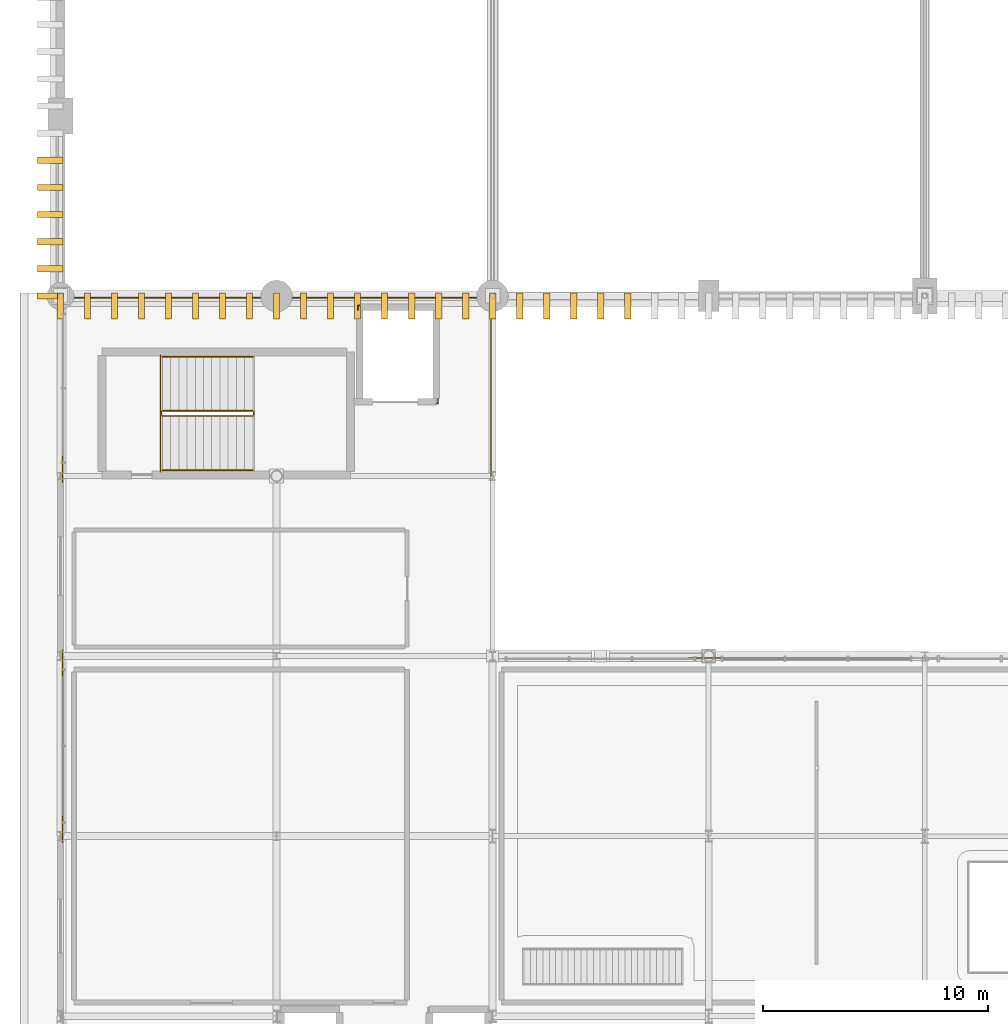
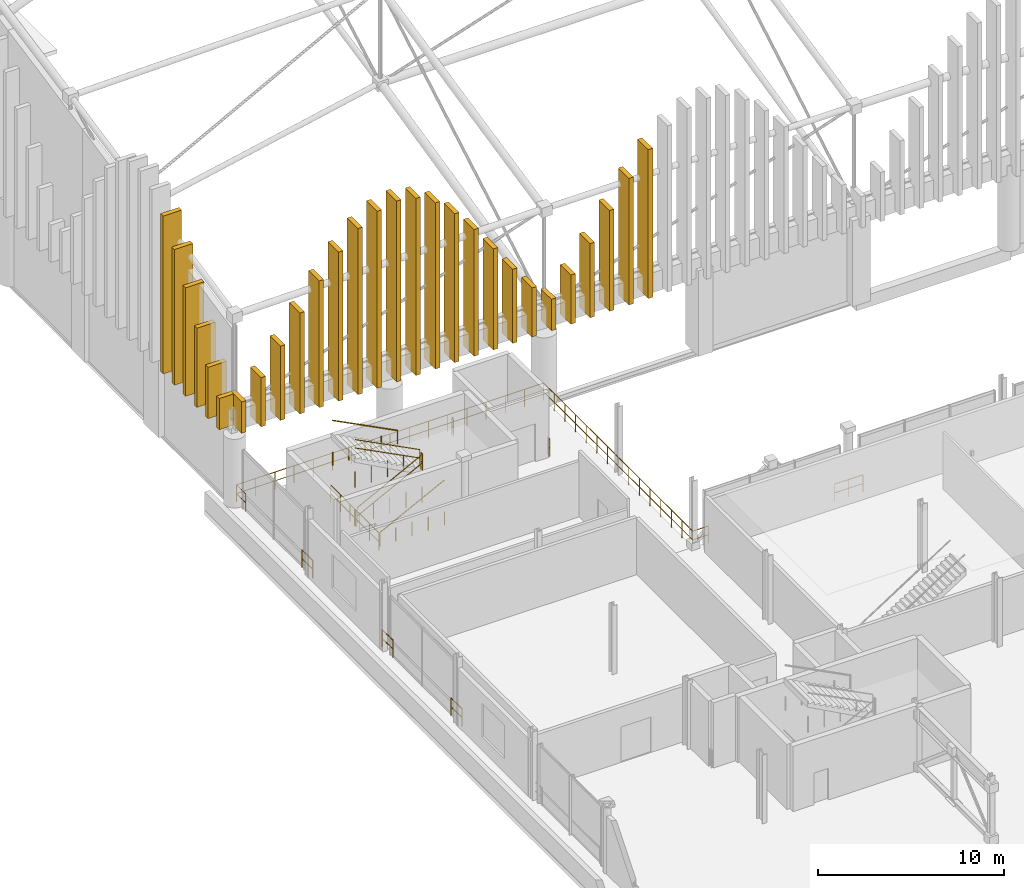
# One storey, part 176 of 193: 28 coverings, 14 railings.
"""IFC4 building model written with IfcOpenShell, lengths in metres."""

from ifc_helpers import new_model, si_unit, direction, frame, origin, origin_2d, place, context, subcontext, project, spatial, rectangle, circle, extrude, material, layer, layer_set, type_object, element, save


model = new_model("IFC4")

# Units and contexts
model_context = context("Model", 3, precision=1e-05, world=origin(), true_north=direction((0.0, 1.0)))
body_context = subcontext(model_context, "Body", "Model", "MODEL_VIEW")
ifc_project = project(units=[si_unit("LENGTHUNIT", "METRE"), si_unit("AREAUNIT", "SQUARE_METRE"), si_unit("VOLUMEUNIT", "CUBIC_METRE"), si_unit("PLANEANGLEUNIT", "RADIAN"), si_unit("MASSUNIT", "GRAM", prefix="KILO")], contexts=[model_context])

# Site, building, storey
site_placement = place(None, origin())
site = spatial("IfcSite", under=ifc_project, at=site_placement, CompositionType="ELEMENT")
building_placement = place(site_placement, origin())
building = spatial("IfcBuilding", under=site, at=building_placement, Name="Danafjord Basin Convention Centre", CompositionType="ELEMENT")
storey_placement = place(building_placement, frame((0.0, 0.0, 11.39990234375)))
storey = spatial("IfcBuildingStorey", under=building, at=storey_placement, Name="L02", CompositionType="ELEMENT", Elevation=11.39990234375)

# Coverings
ifc_material_1 = material(Name="Architectural white precast concrete C45/55", Category="concrete")
ifc_layer = layer(ifc_material_1, 0.280029296875)
ifc_layer_set = layer_set([ifc_layer], Name="Architectural white precast concrete C45/55")
covering_type = type_object("IfcCoveringType", Name="COV-FIN-RIDGE", PredefinedType="CLADDING", material=ifc_layer_set)
covering_1_placement = place(storey_placement, frame((0.0, 55.550048828125, 5.14990234375), z_axis=(0.0, 0.0, 1.0), x_axis=(0.0, 1.0, 0.0)))
element("IfcCovering", 1, at=covering_1_placement, inside=storey, type_object=covering_type, Name="V1 S white vertical mountain-ridge fin 1", PredefinedType="CLADDING", context=body_context, shape_type="SweptSolid", body=[
    extrude(rectangle(XDim=1.139892578125, YDim=0.280029296875, at=origin_2d()), origin(), (0.0, 0.0, 1.0), 2.050048828125),
])
covering_2_placement = place(storey_placement, frame((1.199951171875, 55.550048828125, 5.14990234375), z_axis=(0.0, 0.0, 1.0), x_axis=(0.0, 1.0, 0.0)))
element("IfcCovering", 2, at=covering_2_placement, inside=storey, type_object=covering_type, Name="V1 S white vertical mountain-ridge fin 2", PredefinedType="CLADDING", context=body_context, shape_type="SweptSolid", body=[
    extrude(rectangle(XDim=1.139892578125, YDim=0.280029296875, at=origin_2d()), origin(), (0.0, 0.0, 1.0), 3.220947265625),
])
covering_3_placement = place(storey_placement, frame((2.39990234375, 55.550048828125, 5.150146484375), z_axis=(0.0, 0.0, 1.0), x_axis=(0.0, 1.0, 0.0)))
element("IfcCovering", 3, at=covering_3_placement, inside=storey, type_object=covering_type, Name="V1 S white vertical mountain-ridge fin 3", PredefinedType="CLADDING", context=body_context, shape_type="SweptSolid", body=[
    extrude(rectangle(XDim=1.139892578125, YDim=0.280029296875, at=origin_2d()), origin(), (0.0, 0.0, 1.0), 4.861328125),
])
covering_4_placement = place(storey_placement, frame((3.60009765625, 55.550048828125, 5.14990234375), z_axis=(0.0, 0.0, 1.0), x_axis=(0.0, 1.0, 0.0)))
element("IfcCovering", 4, at=covering_4_placement, inside=storey, type_object=covering_type, Name="V1 S white vertical mountain-ridge fin 4", PredefinedType="CLADDING", context=body_context, shape_type="SweptSolid", body=[
    extrude(rectangle(XDim=1.139892578125, YDim=0.280029296875, at=origin_2d()), origin(), (0.0, 0.0, 1.0), 6.614501953125),
])
covering_5_placement = place(storey_placement, frame((4.800048828125, 55.550048828125, 5.150146484375), z_axis=(0.0, 0.0, 1.0), x_axis=(0.0, 1.0, 0.0)))
element("IfcCovering", 5, at=covering_5_placement, inside=storey, type_object=covering_type, Name="V1 S white vertical mountain-ridge fin 5", PredefinedType="CLADDING", context=body_context, shape_type="SweptSolid", body=[
    extrude(rectangle(XDim=1.139892578125, YDim=0.280029296875, at=origin_2d()), origin(), (0.0, 0.0, 1.0), 8.29541015625),
])
covering_6_placement = place(storey_placement, frame((6.0, 55.550048828125, 5.14990234375), z_axis=(0.0, 0.0, 1.0), x_axis=(0.0, 1.0, 0.0)))
element("IfcCovering", 6, at=covering_6_placement, inside=storey, type_object=covering_type, Name="V1 S white vertical mountain-ridge fin 6", PredefinedType="CLADDING", context=body_context, shape_type="SweptSolid", body=[
    extrude(rectangle(XDim=1.139892578125, YDim=0.280029296875, at=origin_2d()), origin(), (0.0, 0.0, 1.0), 9.759521484375),
])
covering_7_placement = place(storey_placement, frame((7.199951171875, 55.550048828125, 5.150146484375), z_axis=(0.0, 0.0, 1.0), x_axis=(0.0, 1.0, 0.0)))
element("IfcCovering", 7, at=covering_7_placement, inside=storey, type_object=covering_type, Name="V1 S white vertical mountain-ridge fin 7", PredefinedType="CLADDING", context=body_context, shape_type="SweptSolid", body=[
    extrude(rectangle(XDim=1.139892578125, YDim=0.280029296875, at=origin_2d()), origin(), (0.0, 0.0, 1.0), 10.8916015625),
])
covering_8_placement = place(storey_placement, frame((8.39990234375, 55.550048828125, 5.14990234375), z_axis=(0.0, 0.0, 1.0), x_axis=(0.0, 1.0, 0.0)))
element("IfcCovering", 8, at=covering_8_placement, inside=storey, type_object=covering_type, Name="V1 S white vertical mountain-ridge fin 8", PredefinedType="CLADDING", context=body_context, shape_type="SweptSolid", body=[
    extrude(rectangle(XDim=1.139892578125, YDim=0.280029296875, at=origin_2d()), origin(), (0.0, 0.0, 1.0), 11.60595703125),
])
covering_9_placement = place(storey_placement, frame((9.60009765625, 55.550048828125, 5.150146484375), z_axis=(0.0, 0.0, 1.0), x_axis=(0.0, 1.0, 0.0)))
element("IfcCovering", 9, at=covering_9_placement, inside=storey, type_object=covering_type, Name="V1 S white vertical mountain-ridge fin 9", PredefinedType="CLADDING", context=body_context, shape_type="SweptSolid", body=[
    extrude(rectangle(XDim=1.139892578125, YDim=0.280029296875, at=origin_2d()), origin(), (0.0, 0.0, 1.0), 11.85009765625),
])
covering_10_placement = place(storey_placement, frame((10.800048828125, 55.550048828125, 5.14990234375), z_axis=(0.0, 0.0, 1.0), x_axis=(0.0, 1.0, 0.0)))
element("IfcCovering", 10, at=covering_10_placement, inside=storey, type_object=covering_type, Name="V1 S white vertical mountain-ridge fin 10", PredefinedType="CLADDING", context=body_context, shape_type="SweptSolid", body=[
    extrude(rectangle(XDim=1.139892578125, YDim=0.280029296875, at=origin_2d()), origin(), (0.0, 0.0, 1.0), 11.60595703125),
])
covering_11_placement = place(storey_placement, frame((12.0, 55.550048828125, 5.150146484375), z_axis=(0.0, 0.0, 1.0), x_axis=(0.0, 1.0, 0.0)))
element("IfcCovering", 11, at=covering_11_placement, inside=storey, type_object=covering_type, Name="V1 S white vertical mountain-ridge fin 11", PredefinedType="CLADDING", context=body_context, shape_type="SweptSolid", body=[
    extrude(rectangle(XDim=1.139892578125, YDim=0.280029296875, at=origin_2d()), origin(), (0.0, 0.0, 1.0), 10.8916015625),
])
covering_12_placement = place(storey_placement, frame((13.199951171875, 55.550048828125, 5.14990234375), z_axis=(0.0, 0.0, 1.0), x_axis=(0.0, 1.0, 0.0)))
element("IfcCovering", 12, at=covering_12_placement, inside=storey, type_object=covering_type, Name="V1 S white vertical mountain-ridge fin 12", PredefinedType="CLADDING", context=body_context, shape_type="SweptSolid", body=[
    extrude(rectangle(XDim=1.139892578125, YDim=0.280029296875, at=origin_2d()), origin(), (0.0, 0.0, 1.0), 9.759521484375),
])
covering_13_placement = place(storey_placement, frame((14.39990234375, 55.550048828125, 5.150146484375), z_axis=(0.0, 0.0, 1.0), x_axis=(0.0, 1.0, 0.0)))
element("IfcCovering", 13, at=covering_13_placement, inside=storey, type_object=covering_type, Name="V1 S white vertical mountain-ridge fin 13", PredefinedType="CLADDING", context=body_context, shape_type="SweptSolid", body=[
    extrude(rectangle(XDim=1.139892578125, YDim=0.280029296875, at=origin_2d()), origin(), (0.0, 0.0, 1.0), 8.29541015625),
])
covering_14_placement = place(storey_placement, frame((15.60009765625, 55.550048828125, 5.14990234375), z_axis=(0.0, 0.0, 1.0), x_axis=(0.0, 1.0, 0.0)))
element("IfcCovering", 14, at=covering_14_placement, inside=storey, type_object=covering_type, Name="V1 S white vertical mountain-ridge fin 14", PredefinedType="CLADDING", context=body_context, shape_type="SweptSolid", body=[
    extrude(rectangle(XDim=1.139892578125, YDim=0.280029296875, at=origin_2d()), origin(), (0.0, 0.0, 1.0), 6.614501953125),
])
covering_15_placement = place(storey_placement, frame((16.800048828125, 55.550048828125, 5.150146484375), z_axis=(0.0, 0.0, 1.0), x_axis=(0.0, 1.0, 0.0)))
element("IfcCovering", 15, at=covering_15_placement, inside=storey, type_object=covering_type, Name="V1 S white vertical mountain-ridge fin 15", PredefinedType="CLADDING", context=body_context, shape_type="SweptSolid", body=[
    extrude(rectangle(XDim=1.139892578125, YDim=0.280029296875, at=origin_2d()), origin(), (0.0, 0.0, 1.0), 4.861328125),
])
covering_16_placement = place(storey_placement, frame((18.0, 55.550048828125, 5.14990234375), z_axis=(0.0, 0.0, 1.0), x_axis=(0.0, 1.0, 0.0)))
element("IfcCovering", 16, at=covering_16_placement, inside=storey, type_object=covering_type, Name="V1 S white vertical mountain-ridge fin 16", PredefinedType="CLADDING", context=body_context, shape_type="SweptSolid", body=[
    extrude(rectangle(XDim=1.139892578125, YDim=0.280029296875, at=origin_2d()), origin(), (0.0, 0.0, 1.0), 3.220947265625),
])
covering_17_placement = place(storey_placement, frame((19.199951171875, 55.550048828125, 5.14990234375), z_axis=(0.0, 0.0, 1.0), x_axis=(0.0, 1.0, 0.0)))
element("IfcCovering", 17, at=covering_17_placement, inside=storey, type_object=covering_type, Name="V1 S white vertical mountain-ridge fin 17", PredefinedType="CLADDING", context=body_context, shape_type="SweptSolid", body=[
    extrude(rectangle(XDim=1.139892578125, YDim=0.280029296875, at=origin_2d()), origin(), (0.0, 0.0, 1.0), 2.050048828125),
])
covering_18_placement = place(storey_placement, frame((20.39990234375, 55.550048828125, 5.14990234375), z_axis=(0.0, 0.0, 1.0), x_axis=(0.0, 1.0, 0.0)))
element("IfcCovering", 18, at=covering_18_placement, inside=storey, type_object=covering_type, Name="V1 S white vertical mountain-ridge fin 18", PredefinedType="CLADDING", context=body_context, shape_type="SweptSolid", body=[
    extrude(rectangle(XDim=1.139892578125, YDim=0.280029296875, at=origin_2d()), origin(), (0.0, 0.0, 1.0), 3.220947265625),
])
covering_19_placement = place(storey_placement, frame((21.60009765625, 55.550048828125, 5.150146484375), z_axis=(0.0, 0.0, 1.0), x_axis=(0.0, 1.0, 0.0)))
element("IfcCovering", 19, at=covering_19_placement, inside=storey, type_object=covering_type, Name="V1 S white vertical mountain-ridge fin 19", PredefinedType="CLADDING", context=body_context, shape_type="SweptSolid", body=[
    extrude(rectangle(XDim=1.139892578125, YDim=0.280029296875, at=origin_2d()), origin(), (0.0, 0.0, 1.0), 4.861328125),
])
covering_20_placement = place(storey_placement, frame((22.800048828125, 55.550048828125, 5.14990234375), z_axis=(0.0, 0.0, 1.0), x_axis=(0.0, 1.0, 0.0)))
element("IfcCovering", 20, at=covering_20_placement, inside=storey, type_object=covering_type, Name="V1 S white vertical mountain-ridge fin 20", PredefinedType="CLADDING", context=body_context, shape_type="SweptSolid", body=[
    extrude(rectangle(XDim=1.139892578125, YDim=0.280029296875, at=origin_2d()), origin(), (0.0, 0.0, 1.0), 6.614501953125),
])
covering_21_placement = place(storey_placement, frame((24.0, 55.550048828125, 5.150146484375), z_axis=(0.0, 0.0, 1.0), x_axis=(0.0, 1.0, 0.0)))
element("IfcCovering", 21, at=covering_21_placement, inside=storey, type_object=covering_type, Name="V1 S white vertical mountain-ridge fin 21", PredefinedType="CLADDING", context=body_context, shape_type="SweptSolid", body=[
    extrude(rectangle(XDim=1.139892578125, YDim=0.280029296875, at=origin_2d()), origin(), (0.0, 0.0, 1.0), 8.29541015625),
])
covering_22_placement = place(storey_placement, frame((25.199951171875, 55.550048828125, 5.14990234375), z_axis=(0.0, 0.0, 1.0), x_axis=(0.0, 1.0, 0.0)))
element("IfcCovering", 22, at=covering_22_placement, inside=storey, type_object=covering_type, Name="V1 S white vertical mountain-ridge fin 22", PredefinedType="CLADDING", context=body_context, shape_type="SweptSolid", body=[
    extrude(rectangle(XDim=1.139892578125, YDim=0.280029296875, at=origin_2d()), origin(), (0.0, 0.0, 1.0), 9.759521484375),
])
covering_23_placement = place(storey_placement, frame((-0.449951171875, 56.0, 5.14990234375), z_axis=(0.0, 0.0, 1.0), x_axis=(1.0, 0.0, 0.0)))
element("IfcCovering", 23, at=covering_23_placement, inside=storey, type_object=covering_type, Name="V1 W white vertical mountain-ridge fin 195", PredefinedType="CLADDING", context=body_context, shape_type="SweptSolid", body=[
    extrude(rectangle(XDim=1.139892578125, YDim=0.280029296875, at=origin_2d()), origin(), (0.0, 0.0, 1.0), 2.050048828125),
])
covering_24_placement = place(storey_placement, frame((-0.449951171875, 57.20556640625, 5.150146484375), z_axis=(0.0, 0.0, 1.0), x_axis=(1.0, 0.0, 0.0)))
element("IfcCovering", 24, at=covering_24_placement, inside=storey, type_object=covering_type, Name="V1 W white vertical mountain-ridge fin 196", PredefinedType="CLADDING", context=body_context, shape_type="SweptSolid", body=[
    extrude(rectangle(XDim=1.139892578125, YDim=0.280029296875, at=origin_2d()), origin(), (0.0, 0.0, 1.0), 3.36669921875),
])
covering_25_placement = place(storey_placement, frame((-0.449951171875, 58.410888671875, 5.150146484375), z_axis=(0.0, 0.0, 1.0), x_axis=(1.0, 0.0, 0.0)))
element("IfcCovering", 25, at=covering_25_placement, inside=storey, type_object=covering_type, Name="V1 W white vertical mountain-ridge fin 197", PredefinedType="CLADDING", context=body_context, shape_type="SweptSolid", body=[
    extrude(rectangle(XDim=1.139892578125, YDim=0.280029296875, at=origin_2d()), origin(), (0.0, 0.0, 1.0), 5.1953125),
])
covering_26_placement = place(storey_placement, frame((-0.449951171875, 59.616455078125, 5.150146484375), z_axis=(0.0, 0.0, 1.0), x_axis=(1.0, 0.0, 0.0)))
element("IfcCovering", 26, at=covering_26_placement, inside=storey, type_object=covering_type, Name="V1 W white vertical mountain-ridge fin 198", PredefinedType="CLADDING", context=body_context, shape_type="SweptSolid", body=[
    extrude(rectangle(XDim=1.139892578125, YDim=0.280029296875, at=origin_2d()), origin(), (0.0, 0.0, 1.0), 7.1123046875),
])
covering_27_placement = place(storey_placement, frame((-0.449951171875, 60.822021484375, 5.14990234375), z_axis=(0.0, 0.0, 1.0), x_axis=(1.0, 0.0, 0.0)))
element("IfcCovering", 27, at=covering_27_placement, inside=storey, type_object=covering_type, Name="V1 W white vertical mountain-ridge fin 199", PredefinedType="CLADDING", context=body_context, shape_type="SweptSolid", body=[
    extrude(rectangle(XDim=1.139892578125, YDim=0.280029296875, at=origin_2d()), origin(), (0.0, 0.0, 1.0), 8.889404296875),
])
covering_28_placement = place(storey_placement, frame((-0.449951171875, 62.02734375, 5.150146484375), z_axis=(0.0, 0.0, 1.0), x_axis=(1.0, 0.0, 0.0)))
element("IfcCovering", 28, at=covering_28_placement, inside=storey, type_object=covering_type, Name="V1 W white vertical mountain-ridge fin 200", PredefinedType="CLADDING", context=body_context, shape_type="SweptSolid", body=[
    extrude(rectangle(XDim=1.139892578125, YDim=0.280029296875, at=origin_2d()), origin(), (0.0, 0.0, 1.0), 10.349609375),
])

# Railings
ifc_material_2 = material(Name="Laminated structural glass and stainless steel", Category="steel")
railing_type_1 = type_object("IfcRailingType", Name="RL-BAL-GLS", PredefinedType="BALUSTRADE", material=ifc_material_2)
for number, where, name in (
    (29, (0.080078125, 31.719970703125, 0.0), "L02 safety guard balustrade 188"),
    (30, (0.080078125, 39.1201171875, 0.0), "L02 safety guard balustrade 189"),
    (31, (0.080078125, 47.719970703125, 0.0), "L02 safety guard balustrade 190"),
):
    element("IfcRailing", number, at=place(storey_placement, frame(where)), inside=storey, type_object=railing_type_1, Name=name, PredefinedType="BALUSTRADE", context=body_context, shape_type="SweptSolid", body=[
        extrude(circle(Radius=0.02392578125, at=origin_2d()), frame((0.0, 0.0, 1.1259765625), z_axis=(0.0, 1.0, 0.0), x_axis=(-1.0, 0.0, 0.0)), (0.0, 0.0, 1.0), 1.159912109375),
        extrude(circle(Radius=0.02392578125, at=origin_2d()), frame((0.0, 0.0, 0.55078125), z_axis=(0.0, 1.0, 0.0), x_axis=(-1.0, 0.0, 0.0)), (0.0, 0.0, 1.0), 1.159912109375),
        extrude(circle(Radius=0.02099609375, at=origin_2d()), origin(), (0.0, 0.0, 1.0), 1.099853515625),
        extrude(circle(Radius=0.02099609375, at=origin_2d()), frame((0.0, 1.159912109375, 0.0)), (0.0, 0.0, 1.0), 1.099853515625),
    ])
railing_1_placement = place(storey_placement, frame((0.080078125, 54.919921875, 0.0)))
element("IfcRailing", 32, at=railing_1_placement, inside=storey, type_object=railing_type_1, Name="L02 safety guard balustrade 191", PredefinedType="BALUSTRADE", context=body_context, shape_type="SweptSolid", body=[
    extrude(circle(Radius=0.02392578125, at=origin_2d()), frame((0.0, 0.0, 1.1259765625), z_axis=(0.0, 1.0, 0.0), x_axis=(-1.0, 0.0, 0.0)), (0.0, 0.0, 1.0), 1.0),
    extrude(circle(Radius=0.02392578125, at=origin_2d()), frame((0.0, 0.0, 0.55078125), z_axis=(0.0, 1.0, 0.0), x_axis=(-1.0, 0.0, 0.0)), (0.0, 0.0, 1.0), 1.0),
    extrude(circle(Radius=0.02392578125, at=origin_2d()), frame((0.0, 1.0, 1.1259765625), z_axis=(1.0, 0.0, 0.0), x_axis=(0.0, 1.0, 0.0)), (0.0, 0.0, 1.0), 19.0400390625),
    extrude(circle(Radius=0.02392578125, at=origin_2d()), frame((0.0, 1.0, 0.55078125), z_axis=(1.0, 0.0, 0.0), x_axis=(0.0, 1.0, 0.0)), (0.0, 0.0, 1.0), 19.0400390625),
    extrude(circle(Radius=0.02392578125, at=origin_2d()), frame((19.0400390625, 1.0, 1.1259765625), z_axis=(0.0, -1.0, 0.0), x_axis=(1.0, 0.0, 0.0)), (0.0, 0.0, 1.0), 16.0),
    extrude(circle(Radius=0.02392578125, at=origin_2d()), frame((19.0400390625, 1.0, 0.55078125), z_axis=(0.0, -1.0, 0.0), x_axis=(1.0, 0.0, 0.0)), (0.0, 0.0, 1.0), 16.0),
    extrude(circle(Radius=0.02392578125, at=origin_2d()), frame((19.0400390625, -15.0, 1.1259765625), z_axis=(1.0, 0.0, 0.0), x_axis=(0.0, 1.0, 0.0)), (0.0, 0.0, 1.0), 0.9599609375),
    extrude(circle(Radius=0.02392578125, at=origin_2d()), frame((19.0400390625, -15.0, 0.55078125), z_axis=(1.0, 0.0, 0.0), x_axis=(0.0, 1.0, 0.0)), (0.0, 0.0, 1.0), 0.9599609375),
    extrude(circle(Radius=0.02099609375, at=origin_2d()), origin(), (0.0, 0.0, 1.0), 1.099853515625),
    extrude(circle(Radius=0.02099609375, at=origin_2d()), frame((0.0, 1.0, 0.0)), (0.0, 0.0, 1.0), 1.099853515625),
    extrude(circle(Radius=0.02099609375, at=origin_2d()), frame((1.18994140625, 1.0, 0.0)), (0.0, 0.0, 1.0), 1.099853515625),
    extrude(circle(Radius=0.02099609375, at=origin_2d()), frame((2.3798828125, 1.0, 0.0)), (0.0, 0.0, 1.0), 1.099853515625),
    extrude(circle(Radius=0.02099609375, at=origin_2d()), frame((3.570068359375, 1.0, 0.0)), (0.0, 0.0, 1.0), 1.099853515625),
    extrude(circle(Radius=0.02099609375, at=origin_2d()), frame((4.760009765625, 1.0, 0.0)), (0.0, 0.0, 1.0), 1.099853515625),
    extrude(circle(Radius=0.02099609375, at=origin_2d()), frame((5.949951171875, 1.0, 0.0)), (0.0, 0.0, 1.0), 1.099853515625),
    extrude(circle(Radius=0.02099609375, at=origin_2d()), frame((7.14013671875, 1.0, 0.0)), (0.0, 0.0, 1.0), 1.099853515625),
    extrude(circle(Radius=0.02099609375, at=origin_2d()), frame((8.330078125, 1.0, 0.0)), (0.0, 0.0, 1.0), 1.099853515625),
    extrude(circle(Radius=0.02099609375, at=origin_2d()), frame((9.52001953125, 1.0, 0.0)), (0.0, 0.0, 1.0), 1.099853515625),
    extrude(circle(Radius=0.02099609375, at=origin_2d()), frame((10.7099609375, 1.0, 0.0)), (0.0, 0.0, 1.0), 1.099853515625),
    extrude(circle(Radius=0.02099609375, at=origin_2d()), frame((11.89990234375, 1.0, 0.0)), (0.0, 0.0, 1.0), 1.099853515625),
    extrude(circle(Radius=0.02099609375, at=origin_2d()), frame((13.090087890625, 1.0, 0.0)), (0.0, 0.0, 1.0), 1.099853515625),
    extrude(circle(Radius=0.02099609375, at=origin_2d()), frame((14.280029296875, 1.0, 0.0)), (0.0, 0.0, 1.0), 1.099853515625),
    extrude(circle(Radius=0.02099609375, at=origin_2d()), frame((15.469970703125, 1.0, 0.0)), (0.0, 0.0, 1.0), 1.099853515625),
    extrude(circle(Radius=0.02099609375, at=origin_2d()), frame((16.66015625, 1.0, 0.0)), (0.0, 0.0, 1.0), 1.099853515625),
    extrude(circle(Radius=0.02099609375, at=origin_2d()), frame((17.85009765625, 1.0, 0.0)), (0.0, 0.0, 1.0), 1.099853515625),
    extrude(circle(Radius=0.02099609375, at=origin_2d()), frame((19.0400390625, 1.0, 0.0)), (0.0, 0.0, 1.0), 1.099853515625),
    extrude(circle(Radius=0.02099609375, at=origin_2d()), frame((19.0400390625, -0.142822265625, 0.0)), (0.0, 0.0, 1.0), 1.099853515625),
    extrude(circle(Radius=0.02099609375, at=origin_2d()), frame((19.0400390625, -1.28564453125, 0.0)), (0.0, 0.0, 1.0), 1.099853515625),
    extrude(circle(Radius=0.02099609375, at=origin_2d()), frame((19.0400390625, -2.428466796875, 0.0)), (0.0, 0.0, 1.0), 1.099853515625),
    extrude(circle(Radius=0.02099609375, at=origin_2d()), frame((19.0400390625, -3.571533203125, 0.0)), (0.0, 0.0, 1.0), 1.099853515625),
    extrude(circle(Radius=0.02099609375, at=origin_2d()), frame((19.0400390625, -4.71435546875, 0.0)), (0.0, 0.0, 1.0), 1.099853515625),
    extrude(circle(Radius=0.02099609375, at=origin_2d()), frame((19.0400390625, -5.857177734375, 0.0)), (0.0, 0.0, 1.0), 1.099853515625),
    extrude(circle(Radius=0.02099609375, at=origin_2d()), frame((19.0400390625, -7.0, 0.0)), (0.0, 0.0, 1.0), 1.099853515625),
    extrude(circle(Radius=0.02099609375, at=origin_2d()), frame((19.0400390625, -8.142822265625, 0.0)), (0.0, 0.0, 1.0), 1.099853515625),
    extrude(circle(Radius=0.02099609375, at=origin_2d()), frame((19.0400390625, -9.28564453125, 0.0)), (0.0, 0.0, 1.0), 1.099853515625),
    extrude(circle(Radius=0.02099609375, at=origin_2d()), frame((19.0400390625, -10.428466796875, 0.0)), (0.0, 0.0, 1.0), 1.099853515625),
    extrude(circle(Radius=0.02099609375, at=origin_2d()), frame((19.0400390625, -11.571533203125, 0.0)), (0.0, 0.0, 1.0), 1.099853515625),
    extrude(circle(Radius=0.02099609375, at=origin_2d()), frame((19.0400390625, -12.71435546875, 0.0)), (0.0, 0.0, 1.0), 1.099853515625),
    extrude(circle(Radius=0.02099609375, at=origin_2d()), frame((19.0400390625, -13.857177734375, 0.0)), (0.0, 0.0, 1.0), 1.099853515625),
    extrude(circle(Radius=0.02099609375, at=origin_2d()), frame((19.0400390625, -15.0, 0.0)), (0.0, 0.0, 1.0), 1.099853515625),
    extrude(circle(Radius=0.02099609375, at=origin_2d()), frame((20.0, -15.0, 0.0)), (0.0, 0.0, 1.0), 1.099853515625),
])
railing_2_placement = place(storey_placement, frame((27.919921875, 39.919921875, 0.0)))
element("IfcRailing", 33, at=railing_2_placement, inside=storey, type_object=railing_type_1, Name="L02 safety guard balustrade 192", PredefinedType="BALUSTRADE", context=body_context, shape_type="SweptSolid", body=[
    extrude(circle(Radius=0.02392578125, at=origin_2d()), frame((0.0, 0.0, 1.1259765625), z_axis=(1.0, 0.0, 0.0), x_axis=(0.0, 1.0, 0.0)), (0.0, 0.0, 1.0), 1.760009765625),
    extrude(circle(Radius=0.02392578125, at=origin_2d()), frame((0.0, 0.0, 0.55078125), z_axis=(1.0, 0.0, 0.0), x_axis=(0.0, 1.0, 0.0)), (0.0, 0.0, 1.0), 1.760009765625),
    extrude(circle(Radius=0.02099609375, at=origin_2d()), origin(), (0.0, 0.0, 1.0), 1.099853515625),
    extrude(circle(Radius=0.02099609375, at=origin_2d()), frame((0.8798828125, 0.0, 0.0)), (0.0, 0.0, 1.0), 1.099853515625),
    extrude(circle(Radius=0.02099609375, at=origin_2d()), frame((1.760009765625, 0.0, 0.0)), (0.0, 0.0, 1.0), 1.099853515625),
])
railing_3_placement = place(storey_placement, frame((16.699951171875, 51.219970703125, 0.0)))
element("IfcRailing", 34, at=railing_3_placement, inside=storey, type_object=railing_type_1, Name="L02 safety guard balustrade 214", PredefinedType="BALUSTRADE", context=body_context, shape_type="SweptSolid", body=[
    extrude(circle(Radius=0.02392578125, at=origin_2d()), frame((0.0, 0.0, 1.1259765625), z_axis=(1.0, 0.0, 0.0), x_axis=(0.0, 1.0, 0.0)), (0.0, 0.0, 1.0), 0.080078125),
    extrude(circle(Radius=0.02392578125, at=origin_2d()), frame((0.0, 0.0, 0.55078125), z_axis=(1.0, 0.0, 0.0), x_axis=(0.0, 1.0, 0.0)), (0.0, 0.0, 1.0), 0.080078125),
    extrude(circle(Radius=0.02392578125, at=origin_2d()), frame((0.080078125, 0.0, 1.1259765625), z_axis=(0.0, 1.0, 0.0), x_axis=(-1.0, 0.0, 0.0)), (0.0, 0.0, 1.0), 0.215087890625),
    extrude(circle(Radius=0.02392578125, at=origin_2d()), frame((0.080078125, 0.0, 0.55078125), z_axis=(0.0, 1.0, 0.0), x_axis=(-1.0, 0.0, 0.0)), (0.0, 0.0, 1.0), 0.215087890625),
    extrude(circle(Radius=0.02099609375, at=origin_2d()), origin(), (0.0, 0.0, 1.0), 1.099853515625),
    extrude(circle(Radius=0.02099609375, at=origin_2d()), frame((0.080078125, 0.0, 0.0)), (0.0, 0.0, 1.0), 1.099853515625),
    extrude(circle(Radius=0.02099609375, at=origin_2d()), frame((0.080078125, 0.215087890625, 0.0)), (0.0, 0.0, 1.0), 1.099853515625),
])
ifc_material_3 = material(Name="Galvanised and powder-coated steel S355", Category="steel")
railing_type_2 = type_object("IfcRailingType", Name="RL-BAL-STL", PredefinedType="BALUSTRADE", material=ifc_material_3)
railing_4_placement = place(storey_placement, frame((13.300048828125, 55.580078125, 0.0)))
element("IfcRailing", 35, at=railing_4_placement, inside=storey, type_object=railing_type_2, Name="L02 safety guard balustrade 213", PredefinedType="BALUSTRADE", context=body_context, shape_type="SweptSolid", body=[
    extrude(circle(Radius=0.02392578125, at=origin_2d()), frame((0.0, 0.0, 1.1259765625), z_axis=(-1.0, 0.0, 0.0), x_axis=(0.0, -1.0, 0.0)), (0.0, 0.0, 1.0), 0.080078125),
    extrude(circle(Radius=0.02392578125, at=origin_2d()), frame((0.0, 0.0, 0.55078125), z_axis=(-1.0, 0.0, 0.0), x_axis=(0.0, -1.0, 0.0)), (0.0, 0.0, 1.0), 0.080078125),
    extrude(circle(Radius=0.02392578125, at=origin_2d()), frame((-0.080078125, 0.0, 1.1259765625), z_axis=(0.0, -1.0, 0.0), x_axis=(1.0, 0.0, 0.0)), (0.0, 0.0, 1.0), 0.215087890625),
    extrude(circle(Radius=0.02392578125, at=origin_2d()), frame((-0.080078125, 0.0, 0.55078125), z_axis=(0.0, -1.0, 0.0), x_axis=(1.0, 0.0, 0.0)), (0.0, 0.0, 1.0), 0.215087890625),
    extrude(circle(Radius=0.02099609375, at=origin_2d()), origin(), (0.0, 0.0, 1.0), 1.099853515625),
    extrude(circle(Radius=0.02099609375, at=origin_2d()), frame((-0.080078125, 0.0, 0.0)), (0.0, 0.0, 1.0), 1.099853515625),
    extrude(circle(Radius=0.02099609375, at=origin_2d()), frame((-0.080078125, -0.215087890625, 0.0)), (0.0, 0.0, 1.0), 1.099853515625),
])
railing_5_placement = place(storey_placement, frame((4.449951171875, 53.375, 0.0)))
element("IfcRailing", 36, at=railing_5_placement, inside=storey, type_object=railing_type_2, Name="L02 safety guard balustrade 215", PredefinedType="BALUSTRADE", context=body_context, shape_type="SweptSolid", body=[
    extrude(circle(Radius=0.02392578125, at=origin_2d()), frame((0.0, 0.0, 1.1259765625), z_axis=(0.0, -1.0, 0.0), x_axis=(1.0, 0.0, 0.0)), (0.0, 0.0, 1.0), 5.18994140625),
    extrude(circle(Radius=0.02392578125, at=origin_2d()), frame((0.0, 0.0, 0.55078125), z_axis=(0.0, -1.0, 0.0), x_axis=(1.0, 0.0, 0.0)), (0.0, 0.0, 1.0), 5.18994140625),
    extrude(circle(Radius=0.02099609375, at=origin_2d()), origin(), (0.0, 0.0, 1.0), 1.099853515625),
    extrude(circle(Radius=0.02099609375, at=origin_2d()), frame((0.0, -1.0380859375, 0.0)), (0.0, 0.0, 1.0), 1.099853515625),
    extrude(circle(Radius=0.02099609375, at=origin_2d()), frame((0.0, -2.075927734375, 0.0)), (0.0, 0.0, 1.0), 1.099853515625),
    extrude(circle(Radius=0.02099609375, at=origin_2d()), frame((0.0, -3.114013671875, 0.0)), (0.0, 0.0, 1.0), 1.099853515625),
    extrude(circle(Radius=0.02099609375, at=origin_2d()), frame((0.0, -4.15185546875, 0.0)), (0.0, 0.0, 1.0), 1.099853515625),
    extrude(circle(Radius=0.02099609375, at=origin_2d()), frame((0.0, -5.18994140625, 0.0)), (0.0, 0.0, 1.0), 1.099853515625),
])
ifc_material_4 = material(Name="Galvanised steel S355", Category="steel")
railing_type_3 = type_object("IfcRailingType", Name="RL-GD-WELL", PredefinedType="BALUSTRADE", material=ifc_material_4)
railing_6_placement = place(storey_placement, frame((4.530029296875, 50.659912109375, 0.1875)))
element("IfcRailing", 37, at=railing_6_placement, inside=storey, type_object=railing_type_3, Name="L02 ST-07 stair guard 1", PredefinedType="BALUSTRADE", context=body_context, shape_type="SweptSolid", body=[
    extrude(circle(Radius=0.02392578125, at=origin_2d()), frame((0.0, 0.0, 1.076171875), z_axis=(0.889495128042, 0.0, 0.456944654405), x_axis=(0.0, 1.0, 0.0)), (0.0, 0.0, 1.0), 4.513671875),
    extrude(circle(Radius=0.02392578125, at=origin_2d()), frame((0.0, 0.0, 0.52587890625), z_axis=(0.889495128042, 0.0, 0.456944654405), x_axis=(0.0, 1.0, 0.0)), (0.0, 0.0, 1.0), 4.513671875),
    extrude(circle(Radius=0.02099609375, at=origin_2d()), origin(), (0.0, 0.0, 1.0), 1.050048828125),
    extrude(circle(Radius=0.02099609375, at=origin_2d()), frame((1.003662109375, 0.0, 0.0)), (0.0, 0.0, 1.0), 1.050048828125),
    extrude(circle(Radius=0.02099609375, at=origin_2d()), frame((2.00732421875, 0.0, 0.0)), (0.0, 0.0, 1.0), 1.050048828125),
    extrude(circle(Radius=0.02099609375, at=origin_2d()), frame((3.01123046875, 0.0, 0.0)), (0.0, 0.0, 1.0), 1.050048828125),
    extrude(circle(Radius=0.02099609375, at=origin_2d()), frame((4.014892578125, 0.0, 0.0)), (0.0, 0.0, 1.0), 1.050048828125),
])
railing_7_placement = place(storey_placement, frame((8.594970703125, 50.7099609375, 2.25)))
element("IfcRailing", 38, at=railing_7_placement, inside=storey, type_object=railing_type_3, Name="L02 ST-07 stair guard 2", PredefinedType="BALUSTRADE", context=body_context, shape_type="SweptSolid", body=[
    extrude(circle(Radius=0.02392578125, at=origin_2d()), frame((0.0, 0.0, 1.076171875), z_axis=(0.0, 1.0, 0.0), x_axis=(-1.0, 0.0, 0.0)), (0.0, 0.0, 1.0), 0.14013671875),
    extrude(circle(Radius=0.02392578125, at=origin_2d()), frame((0.0, 0.0, 0.52587890625), z_axis=(0.0, 1.0, 0.0), x_axis=(-1.0, 0.0, 0.0)), (0.0, 0.0, 1.0), 0.14013671875),
    extrude(circle(Radius=0.02099609375, at=origin_2d()), origin(), (0.0, 0.0, 1.0), 1.050048828125),
    extrude(circle(Radius=0.02099609375, at=origin_2d()), frame((0.0, 0.14013671875, 0.0)), (0.0, 0.0, 1.0), 1.050048828125),
])
railing_8_placement = place(storey_placement, frame((8.544921875, 50.89990234375, 2.4375)))
element("IfcRailing", 39, at=railing_8_placement, inside=storey, type_object=railing_type_3, Name="L02 ST-07 stair guard 3", PredefinedType="BALUSTRADE", context=body_context, shape_type="SweptSolid", body=[
    extrude(circle(Radius=0.02392578125, at=origin_2d()), frame((0.0, 0.0, 1.076171875), z_axis=(-0.889495128042, 0.0, 0.456944654405), x_axis=(0.0, -1.0, 0.0)), (0.0, 0.0, 1.0), 4.513671875),
    extrude(circle(Radius=0.02392578125, at=origin_2d()), frame((0.0, 0.0, 0.52587890625), z_axis=(-0.889495128042, 0.0, 0.456944654405), x_axis=(0.0, -1.0, 0.0)), (0.0, 0.0, 1.0), 4.513671875),
    extrude(circle(Radius=0.02099609375, at=origin_2d()), origin(), (0.0, 0.0, 1.0), 1.050048828125),
    extrude(circle(Radius=0.02099609375, at=origin_2d()), frame((-1.003662109375, 0.0, 0.0)), (0.0, 0.0, 1.0), 1.050048828125),
    extrude(circle(Radius=0.02099609375, at=origin_2d()), frame((-2.00732421875, 0.0, 0.0)), (0.0, 0.0, 1.0), 1.050048828125),
    extrude(circle(Radius=0.02099609375, at=origin_2d()), frame((-3.01123046875, 0.0, 0.0)), (0.0, 0.0, 1.0), 1.050048828125),
    extrude(circle(Radius=0.02099609375, at=origin_2d()), frame((-4.014892578125, 0.0, 0.0)), (0.0, 0.0, 1.0), 1.050048828125),
])
railing_9_placement = place(storey_placement, frame((4.47998046875, 50.7099609375, 0.0)))
element("IfcRailing", 40, at=railing_9_placement, inside=storey, type_object=railing_type_3, Name="L02 ST-07 stair guard 4", PredefinedType="BALUSTRADE", context=body_context, shape_type="SweptSolid", body=[
    extrude(circle(Radius=0.02392578125, at=origin_2d()), frame((0.0, 0.0, 1.076171875), z_axis=(0.0, 1.0, 0.0), x_axis=(-1.0, 0.0, 0.0)), (0.0, 0.0, 1.0), 0.14013671875),
    extrude(circle(Radius=0.02392578125, at=origin_2d()), frame((0.0, 0.0, 0.52587890625), z_axis=(0.0, 1.0, 0.0), x_axis=(-1.0, 0.0, 0.0)), (0.0, 0.0, 1.0), 0.14013671875),
    extrude(circle(Radius=0.02099609375, at=origin_2d()), origin(), (0.0, 0.0, 1.0), 1.050048828125),
    extrude(circle(Radius=0.02099609375, at=origin_2d()), frame((0.0, 0.14013671875, 0.0)), (0.0, 0.0, 1.0), 1.050048828125),
])
ifc_material_5 = material(Name="Brushed stainless steel EN 1.4404", Category="steel")
railing_type_4 = type_object("IfcRailingType", Name="RL-HR-STAIR", PredefinedType="HANDRAIL", material=ifc_material_5)
railing_10_placement = place(storey_placement, frame((4.530029296875, 48.260009765625, 0.1875)))
element("IfcRailing", 41, at=railing_10_placement, inside=storey, type_object=railing_type_4, Name="L02 ST-07 stair handrail 1", PredefinedType="HANDRAIL", context=body_context, shape_type="SweptSolid", body=[
    extrude(circle(Radius=0.02392578125, at=origin_2d()), frame((0.0, 0.0, 0.8759765625), z_axis=(0.889495128042, 0.0, 0.456944654405), x_axis=(0.0, 1.0, 0.0)), (0.0, 0.0, 1.0), 4.513671875),
    extrude(circle(Radius=0.02099609375, at=origin_2d()), origin(), (0.0, 0.0, 1.0), 0.849853515625),
    extrude(circle(Radius=0.02099609375, at=origin_2d()), frame((1.003662109375, 0.0, 0.0)), (0.0, 0.0, 1.0), 0.849853515625),
    extrude(circle(Radius=0.02099609375, at=origin_2d()), frame((2.00732421875, 0.0, 0.0)), (0.0, 0.0, 1.0), 0.849853515625),
    extrude(circle(Radius=0.02099609375, at=origin_2d()), frame((3.01123046875, 0.0, 0.0)), (0.0, 0.0, 1.0), 0.849853515625),
    extrude(circle(Radius=0.02099609375, at=origin_2d()), frame((4.014892578125, 0.0, 0.0)), (0.0, 0.0, 1.0), 0.849853515625),
])
railing_11_placement = place(storey_placement, frame((8.544921875, 53.300048828125, 2.4375)))
element("IfcRailing", 42, at=railing_11_placement, inside=storey, type_object=railing_type_4, Name="L02 ST-07 stair handrail 2", PredefinedType="HANDRAIL", context=body_context, shape_type="SweptSolid", body=[
    extrude(circle(Radius=0.02392578125, at=origin_2d()), frame((0.0, 0.0, 0.8759765625), z_axis=(-0.889495128042, 0.0, 0.456944654405), x_axis=(0.0, -1.0, 0.0)), (0.0, 0.0, 1.0), 4.513671875),
    extrude(circle(Radius=0.02099609375, at=origin_2d()), origin(), (0.0, 0.0, 1.0), 0.849853515625),
    extrude(circle(Radius=0.02099609375, at=origin_2d()), frame((-1.003662109375, 0.0, 0.0)), (0.0, 0.0, 1.0), 0.849853515625),
    extrude(circle(Radius=0.02099609375, at=origin_2d()), frame((-2.00732421875, 0.0, 0.0)), (0.0, 0.0, 1.0), 0.849853515625),
    extrude(circle(Radius=0.02099609375, at=origin_2d()), frame((-3.01123046875, 0.0, 0.0)), (0.0, 0.0, 1.0), 0.849853515625),
    extrude(circle(Radius=0.02099609375, at=origin_2d()), frame((-4.014892578125, 0.0, 0.0)), (0.0, 0.0, 1.0), 0.849853515625),
])

save(model, "model.ifc")
